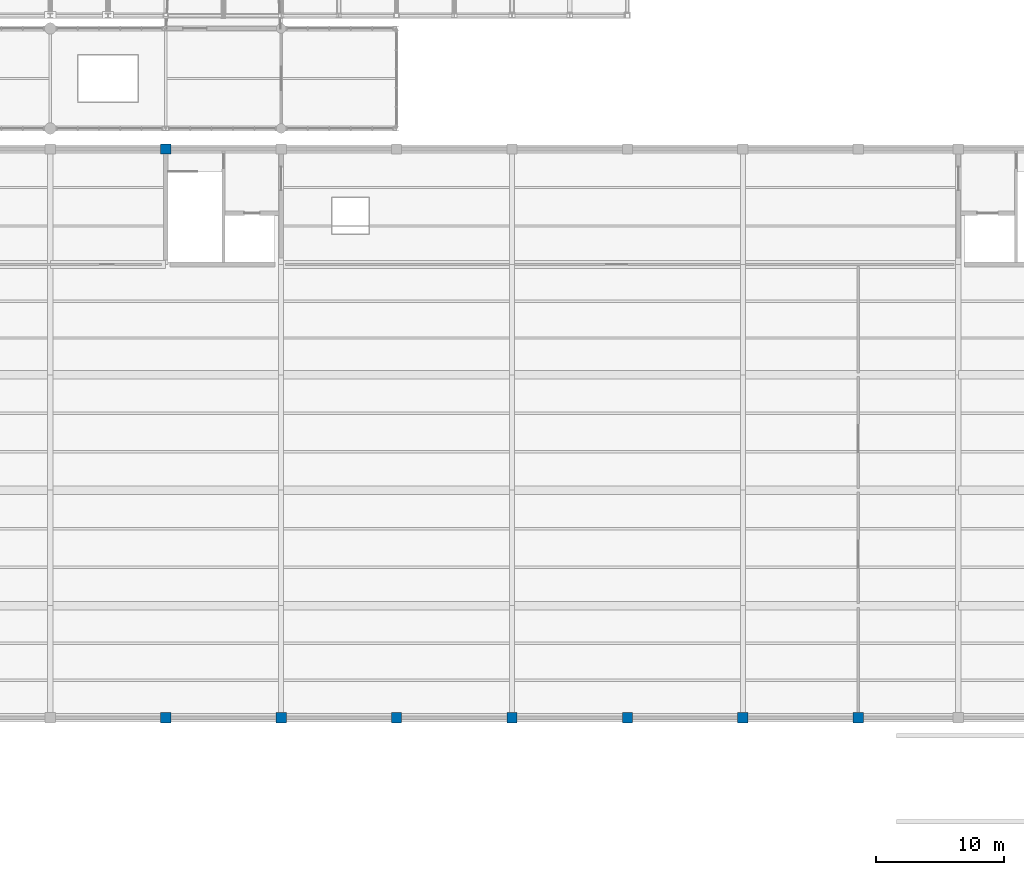
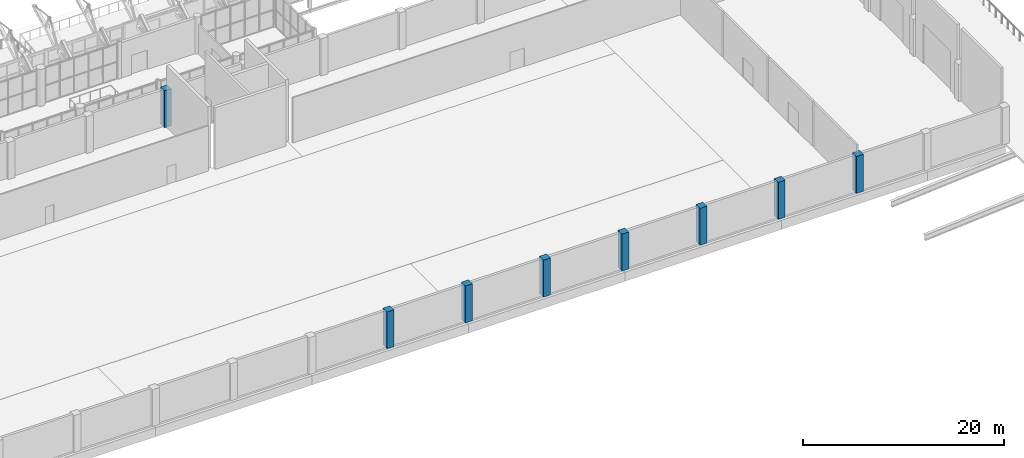
# One storey, part 16 of 134: 8 columns.
"""IFC4 building model written with IfcOpenShell, lengths in metres."""

from ifc_helpers import new_model, si_unit, direction, frame, origin, origin_2d, place, context, subcontext, project, spatial, rectangle, extrude, material, material_profile, profile_set, type_object, element, save


model = new_model("IFC4")

# Units and contexts
model_context = context("Model", 3, precision=1e-05, world=origin(), true_north=direction((0.0, 1.0)))
body_context = subcontext(model_context, "Body", "Model", "MODEL_VIEW")
ifc_project = project(units=[si_unit("LENGTHUNIT", "METRE"), si_unit("AREAUNIT", "SQUARE_METRE"), si_unit("VOLUMEUNIT", "CUBIC_METRE"), si_unit("PLANEANGLEUNIT", "RADIAN"), si_unit("MASSUNIT", "GRAM", prefix="KILO")], contexts=[model_context])

# Site, building, storey
site_placement = place(None, origin())
site = spatial("IfcSite", under=ifc_project, at=site_placement, CompositionType="ELEMENT")
building_placement = place(site_placement, origin())
building = spatial("IfcBuilding", under=site, at=building_placement, Name="Cazmaro Siding Exhibition Halls", CompositionType="ELEMENT")
storey_placement = place(building_placement, frame((0.0, 0.0, 12.0)))
storey = spatial("IfcBuildingStorey", under=building, at=storey_placement, Name="L02", CompositionType="ELEMENT", Elevation=12.0)

# Columns
ifc_material = material(Name="Concrete f'c 45 MPa", Category="concrete")
ifc_material_profile = material_profile(ifc_material, rectangle(XDim=0.800048828125, YDim=0.800048828125, at=origin_2d()), Name="RC800X800")
ifc_profile_set = profile_set([ifc_material_profile], Name="Concrete f'c 45 MPa")
column_type = type_object("IfcColumnType", Name="C-08", PredefinedType="COLUMN", material=ifc_profile_set)
for number, where, z_axis, x_axis, name in (
    (1, (135.0, 9.25, 0.0), (0.0, 0.0, 1.0), (1.0, 0.0, 0.0), "Column C-08 COL-0607"),
    (2, (135.0, 53.60009765625, 0.0), (0.0, 0.0, 1.0), (1.0, 0.0, 0.0), "Column C-08 COL-0611"),
    (3, (144.0, 9.25, 0.0), (0.0, 0.0, 1.0), (1.0, 0.0, 0.0), "Column C-08 COL-0613"),
    (4, (153.0, 9.25, 0.0), (0.0, 0.0, 1.0), (1.0, 0.0, 0.0), "Column C-08 COL-0619"),
    (5, (162.0, 9.25, 0.0), (0.0, 0.0, 1.0), (1.0, 0.0, 0.0), "Column C-08 COL-0625"),
    (6, (171.0, 9.25, 0.0), (0.0, 0.0, 1.0), (1.0, 0.0, 0.0), "Column C-08 COL-0631"),
    (7, (180.0, 9.25, 0.0), (0.0, 0.0, 1.0), (1.0, 0.0, 0.0), "Column C-08 COL-0637"),
    (8, (189.0, 9.25, 0.0), (0.0, 0.0, 1.0), (1.0, 0.0, 0.0), "Column C-08 COL-0643"),
):
    element("IfcColumn", number, at=place(storey_placement, frame(where, z_axis=z_axis, x_axis=x_axis)), inside=storey, type_object=column_type, Name=name, PredefinedType="COLUMN", context=body_context, shape_type="SweptSolid", body=[
        extrude(rectangle(XDim=0.800048828125, YDim=0.800048828125, at=origin_2d()), origin(), (0.0, 0.0, 1.0), 4.5),
    ])

save(model, "model.ifc")
